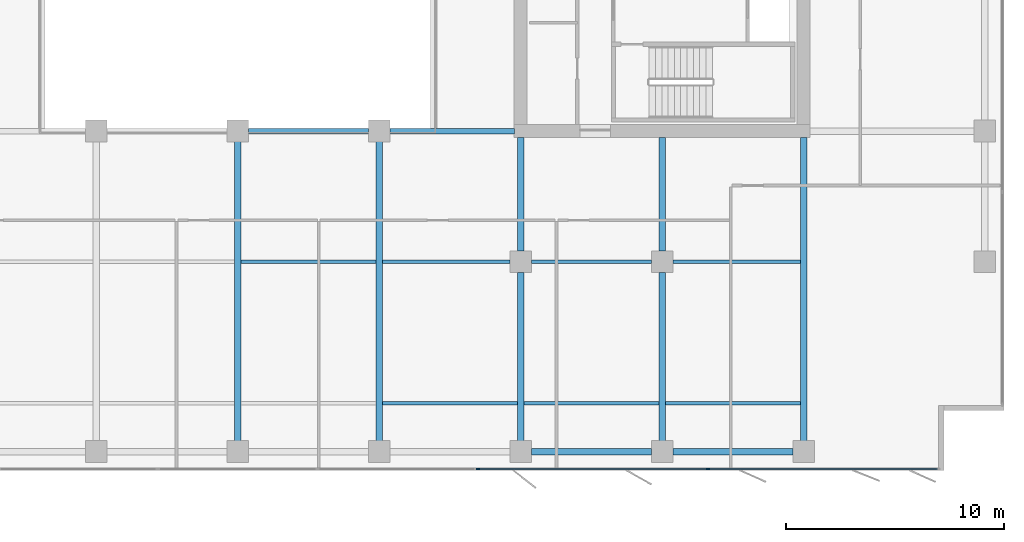
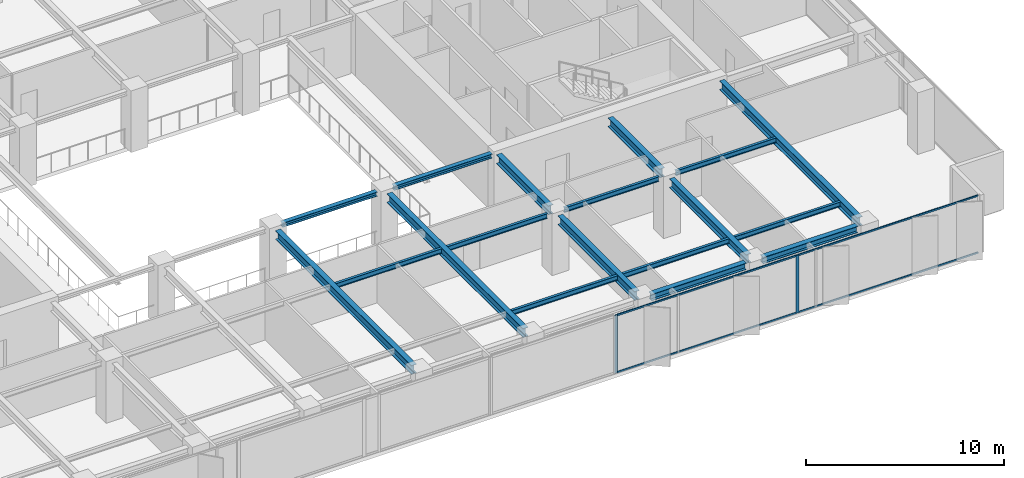
# One storey, part 6 of 22: 18 beams, 6 members, 1 element without a shape of its own.
"""IFC4 building model written with IfcOpenShell, lengths in metres."""

from ifc_helpers import new_model, si_unit, direction, frame, origin, origin_2d, place, context, subcontext, project, spatial, rectangle, i_section, extrude, material, layer, layer_set, material_profile, profile_set, type_object, element, aggregate, save


model = new_model("IFC4")

# Units and contexts
model_context = context("Model", 3, precision=1e-05, world=origin(), true_north=direction((0.0, 1.0)))
body_context = subcontext(model_context, "Body", "Model", "MODEL_VIEW")
ifc_project = project(units=[si_unit("LENGTHUNIT", "METRE"), si_unit("AREAUNIT", "SQUARE_METRE"), si_unit("VOLUMEUNIT", "CUBIC_METRE"), si_unit("PLANEANGLEUNIT", "RADIAN"), si_unit("MASSUNIT", "GRAM", prefix="KILO")], contexts=[model_context])

# Site, building, storey
site_placement = place(None, origin())
site = spatial("IfcSite", under=ifc_project, at=site_placement, CompositionType="ELEMENT")
building_placement = place(site_placement, origin())
building = spatial("IfcBuilding", under=site, at=building_placement, Name="Putna Gate Headquarters", CompositionType="ELEMENT")
storey_placement = place(building_placement, frame((0.0, 0.0, 167.0)))
storey = spatial("IfcBuildingStorey", under=building, at=storey_placement, Name="L41", CompositionType="ELEMENT", Elevation=167.0)

# Beams
ifc_material_1 = material(Name="Steel S355J2", Category="steel")
ifc_material_profile_1 = material_profile(ifc_material_1, i_section(OverallWidth=0.260009765625, OverallDepth=0.260009765625, WebThickness=0.010009765625, FlangeThickness=0.017578125, at=origin_2d()), Name="Steel S355J2")
ifc_profile_set_1 = profile_set([ifc_material_profile_1], Name="Steel S355J2")
beam_type_1 = type_object("IfcBeamType", Name="BM-ATRIUM-HEB260", PredefinedType="BEAM", material=ifc_profile_set_1)
beam_1_placement = place(storey_placement, frame((39.488037109375, 19.0, 3.44189453125), z_axis=(1.0, 0.0, 0.0), x_axis=(0.0, 1.0, 0.0)))
element("IfcBeam", 1, at=beam_1_placement, inside=storey, type_object=beam_type_1, Name="L41 Atrium Edge Beam AS3", PredefinedType="BEAM", context=body_context, shape_type="SweptSolid", body=[
    extrude(i_section(OverallWidth=0.260009765625, OverallDepth=0.260009765625, WebThickness=0.010009765625, FlangeThickness=0.017578125, at=origin_2d()), origin(), (0.0, 0.0, 1.0), 5.52392578125),
])
beam_2_placement = place(storey_placement, frame((45.988037109375, 19.0, 3.44189453125), z_axis=(1.0, 0.0, 0.0), x_axis=(0.0, 1.0, 0.0)))
element("IfcBeam", 2, at=beam_2_placement, inside=storey, type_object=beam_type_1, Name="L41 Atrium Edge Beam AS4", PredefinedType="BEAM", context=body_context, shape_type="SweptSolid", body=[
    extrude(i_section(OverallWidth=0.260009765625, OverallDepth=0.260009765625, WebThickness=0.010009765625, FlangeThickness=0.017578125, at=origin_2d()), origin(), (0.0, 0.0, 1.0), 5.72705078125),
])
ifc_material_profile_2 = material_profile(ifc_material_1, i_section(OverallWidth=0.300048828125, OverallDepth=0.550048828125, WebThickness=0.014892578125, FlangeThickness=0.029052734375, at=origin_2d()), Name="Steel S355J2")
ifc_profile_set_2 = profile_set([ifc_material_profile_2], Name="Steel S355J2")
beam_type_2 = type_object("IfcBeamType", Name="BM-GIRD-Z3-HEB550", PredefinedType="USERDEFINED", material=ifc_profile_set_2)
for number, where, z_axis, x_axis, name in (
    (3, (39.0, 4.76806640625, 3.297119140625), (0.0, 1.0, 0.0), (-1.0, 0.0, 0.0), "L41 South Primary Girder X39"),
    (4, (45.5, 4.76806640625, 3.297119140625), (0.0, 1.0, 0.0), (-1.0, 0.0, 0.0), "L41 South Primary Girder X45"),
):
    element("IfcBeam", number, at=place(storey_placement, frame(where, z_axis=z_axis, x_axis=x_axis)), inside=storey, type_object=beam_type_2, Name=name, ObjectType="GIRDER", PredefinedType="USERDEFINED", context=body_context, shape_type="SweptSolid", body=[
        extrude(i_section(OverallWidth=0.300048828125, OverallDepth=0.550048828125, WebThickness=0.014892578125, FlangeThickness=0.029052734375, at=origin_2d()), origin(), (0.0, 0.0, 1.0), 13.743896484375),
    ])
beam_3_placement = place(storey_placement, frame((52.0, 4.76806640625, 3.297119140625), z_axis=(0.0, 1.0, 0.0), x_axis=(-1.0, 0.0, 0.0)))
element("IfcBeam", 5, at=beam_3_placement, inside=storey, type_object=beam_type_2, Name="L41 South Primary Girder X52-1", ObjectType="GIRDER", PredefinedType="USERDEFINED", context=body_context, shape_type="SweptSolid", body=[
    extrude(i_section(OverallWidth=0.300048828125, OverallDepth=0.550048828125, WebThickness=0.014892578125, FlangeThickness=0.029052734375, at=origin_2d()), origin(), (0.0, 0.0, 1.0), 7.743896484375),
])
beam_4_placement = place(storey_placement, frame((52.0, 13.488037109375, 3.297119140625), z_axis=(0.0, 1.0, 0.0), x_axis=(-1.0, 0.0, 0.0)))
element("IfcBeam", 6, at=beam_4_placement, inside=storey, type_object=beam_type_2, Name="L41 South Primary Girder X52-2", ObjectType="GIRDER", PredefinedType="USERDEFINED", context=body_context, shape_type="SweptSolid", body=[
    extrude(i_section(OverallWidth=0.300048828125, OverallDepth=0.550048828125, WebThickness=0.014892578125, FlangeThickness=0.029052734375, at=origin_2d()), origin(), (0.0, 0.0, 1.0), 5.22705078125),
])
beam_5_placement = place(storey_placement, frame((58.5, 4.76806640625, 3.297119140625), z_axis=(0.0, 1.0, 0.0), x_axis=(-1.0, 0.0, 0.0)))
element("IfcBeam", 7, at=beam_5_placement, inside=storey, type_object=beam_type_2, Name="L41 South Primary Girder X58-1", ObjectType="GIRDER", PredefinedType="USERDEFINED", context=body_context, shape_type="SweptSolid", body=[
    extrude(i_section(OverallWidth=0.300048828125, OverallDepth=0.550048828125, WebThickness=0.014892578125, FlangeThickness=0.029052734375, at=origin_2d()), origin(), (0.0, 0.0, 1.0), 7.743896484375),
])
beam_6_placement = place(storey_placement, frame((58.5, 13.488037109375, 3.297119140625), z_axis=(0.0, 1.0, 0.0), x_axis=(-1.0, 0.0, 0.0)))
element("IfcBeam", 8, at=beam_6_placement, inside=storey, type_object=beam_type_2, Name="L41 South Primary Girder X58-2", ObjectType="GIRDER", PredefinedType="USERDEFINED", context=body_context, shape_type="SweptSolid", body=[
    extrude(i_section(OverallWidth=0.300048828125, OverallDepth=0.550048828125, WebThickness=0.014892578125, FlangeThickness=0.029052734375, at=origin_2d()), origin(), (0.0, 0.0, 1.0), 5.22705078125),
])
beam_7_placement = place(storey_placement, frame((65.0, 4.76806640625, 3.297119140625), z_axis=(0.0, 1.0, 0.0), x_axis=(-1.0, 0.0, 0.0)))
element("IfcBeam", 9, at=beam_7_placement, inside=storey, type_object=beam_type_2, Name="L41 South Primary Girder X65", ObjectType="GIRDER", PredefinedType="USERDEFINED", context=body_context, shape_type="SweptSolid", body=[
    extrude(i_section(OverallWidth=0.300048828125, OverallDepth=0.550048828125, WebThickness=0.014892578125, FlangeThickness=0.029052734375, at=origin_2d()), origin(), (0.0, 0.0, 1.0), 13.947021484375),
])
ifc_material_profile_3 = material_profile(ifc_material_1, i_section(OverallWidth=0.14990234375, OverallDepth=0.300048828125, WebThickness=0.007080078125, FlangeThickness=0.0107421875, at=origin_2d()), Name="Steel S355J2")
ifc_profile_set_3 = profile_set([ifc_material_profile_3], Name="Steel S355J2")
beam_type_3 = type_object("IfcBeamType", Name="BM-SEC-Z3-IPE300", PredefinedType="JOIST", material=ifc_profile_set_3)
for number, where, z_axis, x_axis, name in (
    (10, (39.154052734375, 13.0, 3.422119140625), (1.0, 0.0, 0.0), (0.0, 1.0, 0.0), "L41 South Secondary Beam 5"),
    (11, (45.654052734375, 6.5, 3.422119140625), (1.0, 0.0, 0.0), (0.0, 1.0, 0.0), "L41 South Secondary Beam 6"),
):
    element("IfcBeam", number, at=place(storey_placement, frame(where, z_axis=z_axis, x_axis=x_axis)), inside=storey, type_object=beam_type_3, Name=name, PredefinedType="JOIST", context=body_context, shape_type="SweptSolid", body=[
        extrude(i_section(OverallWidth=0.14990234375, OverallDepth=0.300048828125, WebThickness=0.007080078125, FlangeThickness=0.0107421875, at=origin_2d()), origin(), (0.0, 0.0, 1.0), 6.19189453125),
    ])
beam_8_placement = place(storey_placement, frame((45.654052734375, 13.0, 3.422119140625), z_axis=(1.0, 0.0, 0.0), x_axis=(0.0, 1.0, 0.0)))
element("IfcBeam", 12, at=beam_8_placement, inside=storey, type_object=beam_type_3, Name="L41 South Secondary Beam 6", PredefinedType="JOIST", context=body_context, shape_type="SweptSolid", body=[
    extrude(i_section(OverallWidth=0.14990234375, OverallDepth=0.300048828125, WebThickness=0.007080078125, FlangeThickness=0.0107421875, at=origin_2d()), origin(), (0.0, 0.0, 1.0), 5.85791015625),
])
beam_9_placement = place(storey_placement, frame((52.154052734375, 6.5, 3.422119140625), z_axis=(1.0, 0.0, 0.0), x_axis=(0.0, 1.0, 0.0)))
element("IfcBeam", 13, at=beam_9_placement, inside=storey, type_object=beam_type_3, Name="L41 South Secondary Beam 7", PredefinedType="JOIST", context=body_context, shape_type="SweptSolid", body=[
    extrude(i_section(OverallWidth=0.14990234375, OverallDepth=0.300048828125, WebThickness=0.007080078125, FlangeThickness=0.0107421875, at=origin_2d()), origin(), (0.0, 0.0, 1.0), 6.19189453125),
])
beam_10_placement = place(storey_placement, frame((52.488037109375, 13.0, 3.422119140625), z_axis=(1.0, 0.0, 0.0), x_axis=(0.0, 1.0, 0.0)))
element("IfcBeam", 14, at=beam_10_placement, inside=storey, type_object=beam_type_3, Name="L41 South Secondary Beam 7", PredefinedType="JOIST", context=body_context, shape_type="SweptSolid", body=[
    extrude(i_section(OverallWidth=0.14990234375, OverallDepth=0.300048828125, WebThickness=0.007080078125, FlangeThickness=0.0107421875, at=origin_2d()), origin(), (0.0, 0.0, 1.0), 5.52392578125),
])
beam_11_placement = place(storey_placement, frame((58.654052734375, 6.5, 3.422119140625), z_axis=(1.0, 0.0, 0.0), x_axis=(0.0, 1.0, 0.0)))
element("IfcBeam", 15, at=beam_11_placement, inside=storey, type_object=beam_type_3, Name="L41 South Secondary Beam 8", PredefinedType="JOIST", context=body_context, shape_type="SweptSolid", body=[
    extrude(i_section(OverallWidth=0.14990234375, OverallDepth=0.300048828125, WebThickness=0.007080078125, FlangeThickness=0.0107421875, at=origin_2d()), origin(), (0.0, 0.0, 1.0), 6.19189453125),
])
beam_12_placement = place(storey_placement, frame((58.988037109375, 13.0, 3.422119140625), z_axis=(1.0, 0.0, 0.0), x_axis=(0.0, 1.0, 0.0)))
element("IfcBeam", 16, at=beam_12_placement, inside=storey, type_object=beam_type_3, Name="L41 South Secondary Beam 8", PredefinedType="JOIST", context=body_context, shape_type="SweptSolid", body=[
    extrude(i_section(OverallWidth=0.14990234375, OverallDepth=0.300048828125, WebThickness=0.007080078125, FlangeThickness=0.0107421875, at=origin_2d()), origin(), (0.0, 0.0, 1.0), 5.85791015625),
])
ifc_material_profile_4 = material_profile(ifc_material_1, i_section(OverallWidth=0.300048828125, OverallDepth=0.39990234375, WebThickness=0.013427734375, FlangeThickness=0.02392578125, at=origin_2d()), Name="Steel S355J2")
ifc_profile_set_4 = profile_set([ifc_material_profile_4], Name="Steel S355J2")
beam_type_4 = type_object("IfcBeamType", Name="BM-SPAN-Z3-HEB400", PredefinedType="SPANDREL", material=ifc_profile_set_4)
for number, where, z_axis, x_axis, name in (
    (17, (52.488037109375, 4.280029296875, 3.3720703125), (1.0, 0.0, 0.0), (0.0, 1.0, 0.0), "L41 S Perimeter Spandrel 7"),
    (18, (58.988037109375, 4.280029296875, 3.3720703125), (1.0, 0.0, 0.0), (0.0, 1.0, 0.0), "L41 S Perimeter Spandrel 8"),
):
    element("IfcBeam", number, at=place(storey_placement, frame(where, z_axis=z_axis, x_axis=x_axis)), inside=storey, type_object=beam_type_4, Name=name, PredefinedType="SPANDREL", context=body_context, shape_type="SweptSolid", body=[
        extrude(i_section(OverallWidth=0.300048828125, OverallDepth=0.39990234375, WebThickness=0.013427734375, FlangeThickness=0.02392578125, at=origin_2d()), origin(), (0.0, 0.0, 1.0), 5.52392578125),
    ])

# Curtain wall, members
ifc_material_2 = material(Name="Anodised bronze aluminium curtain wall", Category="aluminium")
ifc_layer = layer(ifc_material_2, 0.159912109375)
ifc_layer_set = layer_set([ifc_layer], Name="Anodised bronze aluminium curtain wall")
curtain_wall_type = type_object("IfcCurtainWallType", Name="CW-SYS-Z3", PredefinedType="USERDEFINED", material=ifc_layer_set)
curtain_wall_placement = place(storey_placement, origin())
curtain_wall = element("IfcCurtainWall", 19, at=curtain_wall_placement, inside=storey, type_object=curtain_wall_type, Name="L41 South East Curtain Wall", ObjectType="STICK CURTAIN WALL", PredefinedType="USERDEFINED")
ifc_material_3 = material(Name="Anodised bronze aluminium EN AW-6060", Category="aluminium")
ifc_material_profile_5 = material_profile(ifc_material_3, rectangle(XDim=0.06494140625, YDim=0.159912109375, at=origin_2d()), Name="Anodised bronze aluminium EN AW-6060")
ifc_profile_set_5 = profile_set([ifc_material_profile_5], Name="Anodised bronze aluminium EN AW-6060")
member_type_1 = type_object("IfcMemberType", Name="MULL-CWM-3", PredefinedType="MULLION", material=ifc_profile_set_5)
member_1_placement = place(storey_placement, frame((50.032470703125, 3.47998046875, 0.0), z_axis=(0.0, 0.0, 1.0), x_axis=(0.0, 1.0, 0.0)))
member_1 = element("IfcMember", 20, at=member_1_placement, type_object=member_type_1, Name="CWS-3 mullion 1", PredefinedType="MULLION", context=body_context, shape_type="SweptSolid", body=[
    extrude(rectangle(XDim=0.06494140625, YDim=0.159912109375, at=origin_2d()), origin(), (0.0, 0.0, 1.0), 3.572021484375),
])
member_2_placement = place(storey_placement, frame((60.60009765625, 3.47998046875, 0.0), z_axis=(0.0, 0.0, 1.0), x_axis=(0.0, 1.0, 0.0)))
member_2 = element("IfcMember", 21, at=member_2_placement, type_object=member_type_1, Name="CWS-3 mullion 2", PredefinedType="MULLION", context=body_context, shape_type="SweptSolid", body=[
    extrude(rectangle(XDim=0.06494140625, YDim=0.159912109375, at=origin_2d()), origin(), (0.0, 0.0, 1.0), 3.572021484375),
])
ifc_material_profile_6 = material_profile(ifc_material_3, rectangle(XDim=0.06005859375, YDim=0.10009765625, at=origin_2d()), Name="Anodised bronze aluminium EN AW-6060")
ifc_profile_set_6 = profile_set([ifc_material_profile_6], Name="Anodised bronze aluminium EN AW-6060")
member_type_2 = type_object("IfcMemberType", Name="TRAN-CWT-3", PredefinedType="USERDEFINED", material=ifc_profile_set_6)
member_3_placement = place(storey_placement, frame((50.06494140625, 3.47998046875, 0.030029296875), z_axis=(1.0, 0.0, 0.0), x_axis=(0.0, 1.0, 0.0)))
member_3 = element("IfcMember", 22, at=member_3_placement, type_object=member_type_2, Name="CWS-3 transom 1.1", ObjectType="TRANSOM", PredefinedType="USERDEFINED", context=body_context, shape_type="SweptSolid", body=[
    extrude(rectangle(XDim=0.06005859375, YDim=0.10009765625, at=origin_2d()), origin(), (0.0, 0.0, 1.0), 10.50244140625),
])
member_4_placement = place(storey_placement, frame((50.06494140625, 3.47998046875, 3.5419921875), z_axis=(1.0, 0.0, 0.0), x_axis=(0.0, 1.0, 0.0)))
member_4 = element("IfcMember", 23, at=member_4_placement, type_object=member_type_2, Name="CWS-3 transom 1.2", ObjectType="TRANSOM", PredefinedType="USERDEFINED", context=body_context, shape_type="SweptSolid", body=[
    extrude(rectangle(XDim=0.06005859375, YDim=0.10009765625, at=origin_2d()), origin(), (0.0, 0.0, 1.0), 10.50244140625),
])
member_5_placement = place(storey_placement, frame((60.632568359375, 3.47998046875, 0.030029296875), z_axis=(1.0, 0.0, 0.0), x_axis=(0.0, 1.0, 0.0)))
member_5 = element("IfcMember", 24, at=member_5_placement, type_object=member_type_2, Name="CWS-3 transom 2.1", ObjectType="TRANSOM", PredefinedType="USERDEFINED", context=body_context, shape_type="SweptSolid", body=[
    extrude(rectangle(XDim=0.06005859375, YDim=0.10009765625, at=origin_2d()), origin(), (0.0, 0.0, 1.0), 10.50244140625),
])
member_6_placement = place(storey_placement, frame((60.632568359375, 3.47998046875, 3.5419921875), z_axis=(1.0, 0.0, 0.0), x_axis=(0.0, 1.0, 0.0)))
member_6 = element("IfcMember", 25, at=member_6_placement, type_object=member_type_2, Name="CWS-3 transom 2.2", ObjectType="TRANSOM", PredefinedType="USERDEFINED", context=body_context, shape_type="SweptSolid", body=[
    extrude(rectangle(XDim=0.06005859375, YDim=0.10009765625, at=origin_2d()), origin(), (0.0, 0.0, 1.0), 10.50244140625),
])
aggregate(curtain_wall, [member_1, member_2, member_3, member_4, member_5, member_6])

save(model, "model.ifc")
